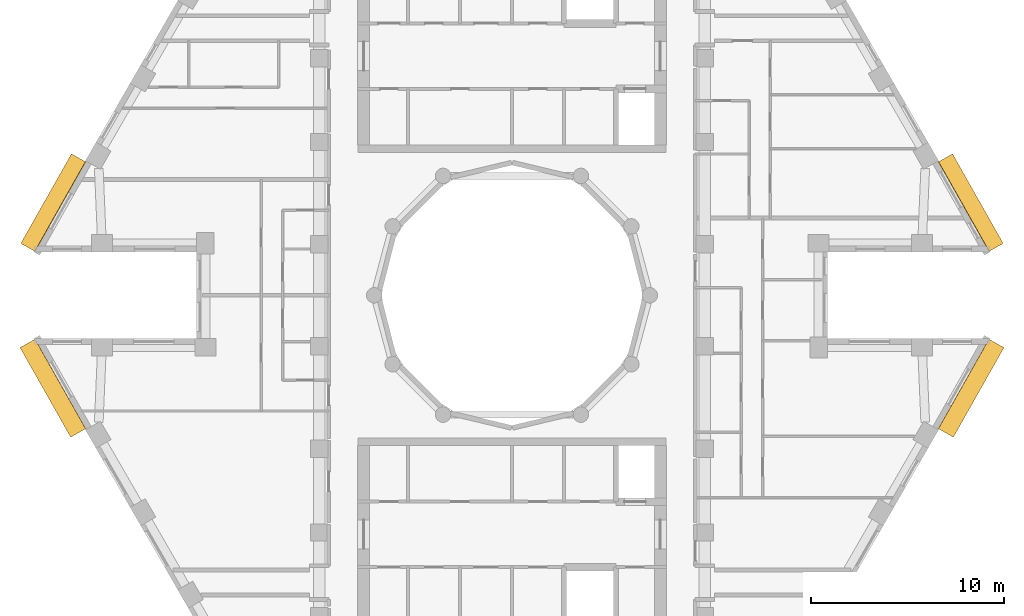
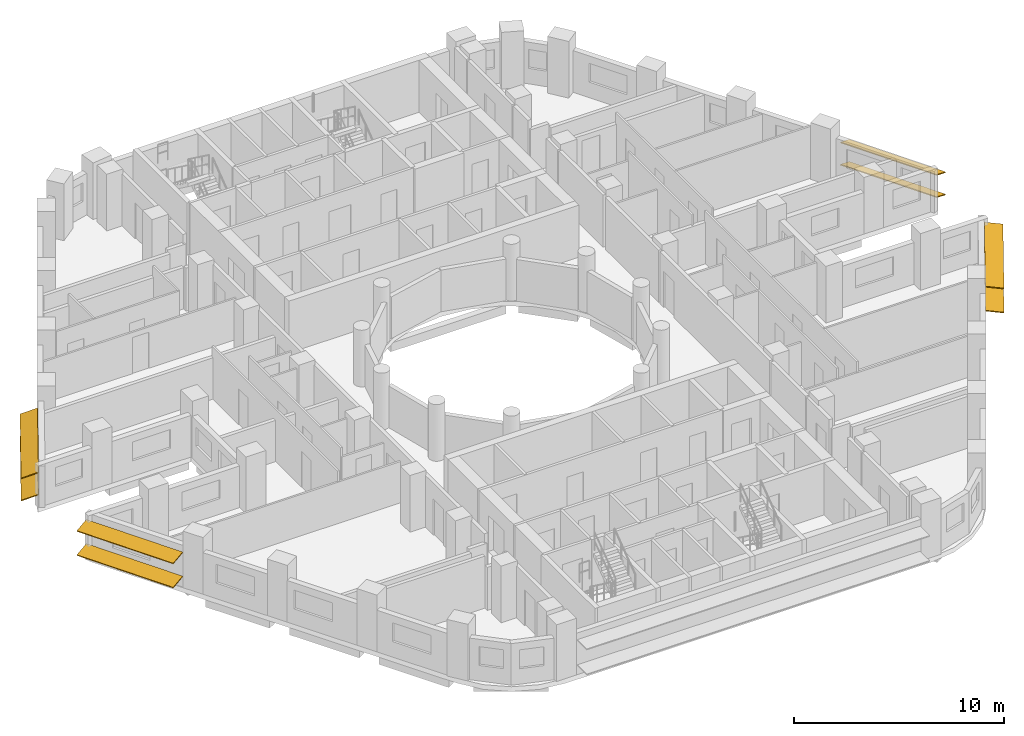
# One storey, part 11 of 12: 8 shading devices.
"""IFC4 building model written with IfcOpenShell, lengths in metres."""

import ifcopenshell
import ifcopenshell.guid

model = None  # the IFC model being written
_history = None  # IfcOwnerHistory: only IFC2X3 demands one
_inside = {}  # id of a spatial element -> (the spatial element, [elements in it])
_under = {}  # id of a project, library or spatial element -> (it, [spatial elements below it])
_declared = {}  # id of a project -> (the project, [libraries it declares])
_typed = {}  # id of a type object -> (the type object, [elements of that type])
_made_of = {}  # id of a material, layer set ... -> (it, [elements and type objects made of it])


def new_model(schema):
    """Start an empty IFC model of exactly this schema.

    Asked for "IFC4X3", IfcOpenShell would pick the latest addendum, in which some entities
    have other attributes; the version numbers below select the first issue.
    IFC2X3 requires an IfcOwnerHistory on every rooted entity: one is made here for all.
    """
    global model, _history
    if schema == "IFC4X3":
        model = ifcopenshell.file(schema_version=(4, 3, 0, 0))
    else:
        model = ifcopenshell.file(schema=schema)
    _inside.clear()
    _under.clear()
    _declared.clear()
    _typed.clear()
    _made_of.clear()
    _history = None
    if model.schema == "IFC2X3":
        org = make("IfcOrganization", Name="unknown")
        user = make(
            "IfcPersonAndOrganization",
            ThePerson=make("IfcPerson", FamilyName="unknown"),
            TheOrganization=org,
        )
        app = make(
            "IfcApplication",
            ApplicationDeveloper=org,
            Version="unknown",
            ApplicationFullName="unknown",
            ApplicationIdentifier="unknown",
        )
        _history = make(
            "IfcOwnerHistory",
            OwningUser=user,
            OwningApplication=app,
            ChangeAction="ADDED",
            CreationDate=0,
        )
    return model


def make(cls, **values):
    """One entity of the class cls with the attributes given. An attribute that is None is left unset."""
    return model.create_entity(
        cls, **{name: value for name, value in values.items() if value is not None}
    )


def rooted(cls, **values):
    """An entity with a GlobalId (a new one), such as an element, a storey or a relation."""
    return make(cls, GlobalId=ifcopenshell.guid.new(), OwnerHistory=_history, **values)


def si_unit(unit_type, name, prefix=None):
    """IfcSIUnit, for example si_unit("LENGTHUNIT", "METRE", prefix="MILLI")."""
    return make("IfcSIUnit", UnitType=unit_type, Prefix=prefix, Name=name)


def assignment(units):
    """IfcUnitAssignment: the units of a project."""
    return None if units is None else make("IfcUnitAssignment", Units=units)


def point(xyz):
    """IfcCartesianPoint."""
    return None if xyz is None else make("IfcCartesianPoint", Coordinates=xyz)


def direction(xyz):
    """IfcDirection."""
    return None if xyz is None else make("IfcDirection", DirectionRatios=xyz)


def frame(location, z_axis=None, x_axis=None):
    """IfcAxis2Placement3D, a coordinate frame: its origin and axes. An axis left out is left unset."""
    return make(
        "IfcAxis2Placement3D",
        Location=point(location),
        Axis=direction(z_axis),
        RefDirection=direction(x_axis),
    )


def frame_2d(location, x_axis=None):
    """IfcAxis2Placement2D, a coordinate frame in the plane: its origin and x axis."""
    return make(
        "IfcAxis2Placement2D", Location=point(location), RefDirection=direction(x_axis)
    )


def origin():
    """The frame at (0, 0, 0) with its axes left unset."""
    return frame((0.0, 0.0, 0.0))


def origin_2d():
    """The frame at (0, 0) in the plane with its x axis left unset."""
    return frame_2d((0.0, 0.0))


def place(relative_to, where):
    """IfcLocalPlacement: puts the frame where relative to a parent placement (None: the world)."""
    return make(
        "IfcLocalPlacement", PlacementRelTo=relative_to, RelativePlacement=where
    )


def context(
    kind, dimensions, precision=None, world=None, true_north=None, identifier=None
):
    """IfcGeometricRepresentationContext, for example the 3D "Model" context."""
    return make(
        "IfcGeometricRepresentationContext",
        ContextIdentifier=identifier,
        ContextType=kind,
        CoordinateSpaceDimension=dimensions,
        Precision=precision,
        WorldCoordinateSystem=world,
        TrueNorth=true_north,
    )


def subcontext(parent, identifier, kind, view, scale=None):
    """IfcGeometricRepresentationSubContext, for example "Body" below "Model"."""
    return make(
        "IfcGeometricRepresentationSubContext",
        ContextIdentifier=identifier,
        ContextType=kind,
        ParentContext=parent,
        TargetScale=scale,
        TargetView=view,
    )


def project(units=None, contexts=None):
    """IfcProject with its units and contexts."""
    return rooted(
        "IfcProject",
        Name="project",
        RepresentationContexts=contexts,
        UnitsInContext=assignment(units),
    )


def spatial(cls, under=None, at=None, **own):
    """A site, building, storey or space (cls), placed at a placement, below another one or the project."""
    s = rooted(cls, ObjectPlacement=at, **own)
    if under is not None:
        _under.setdefault(under.id(), (under, []))[1].append(s)
    return s


def profile(cls, at=None, kind="AREA", **sizes):
    """A parametric profile (cls). Its sizes go by their IFC names, for example OverallWidth=200.0."""
    return make(cls, ProfileType=kind, Position=at, **sizes)


def rectangle(**sizes):
    """IfcRectangleProfileDef."""
    return profile("IfcRectangleProfileDef", **sizes)


def extrude(swept, where, along, depth):
    """IfcExtrudedAreaSolid: the profile swept, set in the frame where, extruded along a direction by depth."""
    return make(
        "IfcExtrudedAreaSolid",
        SweptArea=swept,
        Position=where,
        ExtrudedDirection=direction(along),
        Depth=depth,
    )


def shape(context_of_items, identifier, shape_type, items):
    """IfcShapeRepresentation: the items that make up one representation, for example the "Body"."""
    return make(
        "IfcShapeRepresentation",
        ContextOfItems=context_of_items,
        RepresentationIdentifier=identifier,
        RepresentationType=shape_type,
        Items=items,
    )


def material(Name=None, Category=None):
    """IfcMaterial."""
    return make("IfcMaterial", Name=Name, Category=Category)


def material_profile(
    of_material, cross_section, Name=None, Category=None, Priority=None
):
    """IfcMaterialProfile: a cross section and its material."""
    return make(
        "IfcMaterialProfile",
        Name=Name,
        Material=of_material,
        Profile=cross_section,
        Priority=Priority,
        Category=Category,
    )


def profile_set(profiles, Name=None, composite=None):
    """IfcMaterialProfileSet."""
    return make(
        "IfcMaterialProfileSet",
        Name=Name,
        MaterialProfiles=profiles,
        CompositeProfile=composite,
    )


def made_of(thing, what):
    """Note that an element or type object is made of a material, layer set ...; save() writes the relation."""
    if what is not None:
        _made_of.setdefault(what.id(), (what, []))[1].append(thing)
    return thing


def type_object(cls, material=None, **own):
    """A type object (cls), such as IfcWallType, which elements share."""
    return made_of(rooted(cls, **own), material)


def element(
    cls,
    number,
    at=None,
    inside=None,
    cuts=None,
    type_object=None,
    material=None,
    context=None,
    identifier="Body",
    shape_type=None,
    held_by="IfcProductDefinitionShape",
    body=None,
    shapes=None,
    **own,
):
    """One element of the class cls, such as IfcWall. Its Tag is "e" and its number.

    at: its placement. inside: the storey or other place that contains it. cuts: it is an
    opening in that element (IfcRelVoidsElement). A single representation is given by context,
    identifier, shape_type and body (its items); several are given by shapes. held_by: the class
    of the entity that holds the representations. save() writes the other relations.
    """
    e = rooted(cls, Tag="e%d" % number, ObjectPlacement=at, **own)
    if body is not None:
        shapes = [shape(context, identifier, shape_type, body)]
    if shapes is not None:
        e.Representation = make(held_by, Representations=shapes)
    if inside is not None:
        _inside.setdefault(inside.id(), (inside, []))[1].append(e)
    if cuts is not None:
        rooted(
            "IfcRelVoidsElement", RelatingBuildingElement=cuts, RelatedOpeningElement=e
        )
    if type_object is not None:
        _typed.setdefault(type_object.id(), (type_object, []))[1].append(e)
    return made_of(e, material)


def aggregate(whole, parts):
    """IfcRelAggregates: a whole, such as a stair, and the parts it consists of."""
    return rooted("IfcRelAggregates", RelatingObject=whole, RelatedObjects=parts)


def save(model, path):
    """Write the relations noted so far, then the file.

    IfcRelAggregates (storeys below a building ...), IfcRelContainedInSpatialStructure (elements
    in a storey), IfcRelDefinesByType, IfcRelAssociatesMaterial and IfcRelDeclares: one each for
    every whole, place, type object, material and project.
    """
    for whole, parts in _under.values():
        aggregate(whole, parts)
    for where, things in _inside.values():
        rooted(
            "IfcRelContainedInSpatialStructure",
            RelatedElements=things,
            RelatingStructure=where,
        )
    for kind, things in _typed.values():
        rooted("IfcRelDefinesByType", RelatedObjects=things, RelatingType=kind)
    for what, things in _made_of.values():
        rooted("IfcRelAssociatesMaterial", RelatedObjects=things, RelatingMaterial=what)
    for by, libraries in _declared.values():
        rooted("IfcRelDeclares", RelatingContext=by, RelatedDefinitions=libraries)
    model.write(path)


model = new_model("IFC4")

# Units and contexts
model_context = context("Model", 3, precision=1e-05, world=origin(), true_north=direction((0.0, 1.0)))
body_context = subcontext(model_context, "Body", "Model", "MODEL_VIEW")
ifc_project = project(units=[si_unit("LENGTHUNIT", "METRE"), si_unit("AREAUNIT", "SQUARE_METRE"), si_unit("VOLUMEUNIT", "CUBIC_METRE"), si_unit("PLANEANGLEUNIT", "RADIAN"), si_unit("MASSUNIT", "GRAM", prefix="KILO")], contexts=[model_context])

# Site, building, storey
site_placement = place(None, origin())
site = spatial("IfcSite", under=ifc_project, at=site_placement, CompositionType="ELEMENT")
building_placement = place(site_placement, origin())
building = spatial("IfcBuilding", under=site, at=building_placement, Name="Nakaniwa Court", CompositionType="ELEMENT")
storey_placement = place(building_placement, frame((0.0, 0.0, 249.300048828125)))
storey = spatial("IfcBuildingStorey", under=building, at=storey_placement, Name="L65", CompositionType="ELEMENT", Elevation=249.300048828125)

# Shading devices
ifc_material = material(Name="Perforated charcoal ceramic louvre blade")
ifc_material_profile = material_profile(ifc_material, rectangle(XDim=0.89990234375, YDim=0.050048828125, at=origin_2d()), Name="Perforated ceramic louvre blade")
ifc_profile_set = profile_set([ifc_material_profile], Name="Perforated charcoal ceramic louvre blade")
shading_device_type = type_object("IfcShadingDeviceType", Name="Perforated ceramic louvre blade", PredefinedType="JALOUSIE", material=ifc_profile_set)
for number, where, z_axis, x_axis, name in (
    (1, (105.103759765625, 82.480224609375, 0.550048828125), (-0.492088911474, 0.870544946114, 0.0), (-0.804858877011, -0.454958851288, 0.38107037635), "L65 perforated ceramic louvre blade w02 1"),
    (2, (105.103759765625, 82.480224609375, 1.845458984375), (-0.492088911474, 0.870544946114, 0.0), (-0.804858877011, -0.454958851288, 0.38107037635), "L65 perforated ceramic louvre blade w02 2"),
    (3, (57.5224609375, 87.126220703125, 0.550048828125), (-0.492088911474, -0.870544946114, 0.0), (0.804858877011, -0.454958851288, 0.38107037635), "L65 perforated ceramic louvre blade w14 1"),
    (4, (57.5224609375, 87.126220703125, 1.845458984375), (-0.492088911474, -0.870544946114, 0.0), (0.804858877011, -0.454958851288, 0.38107037635), "L65 perforated ceramic louvre blade w14 2"),
):
    element("IfcShadingDevice", number, at=place(storey_placement, frame(where, z_axis=z_axis, x_axis=x_axis)), inside=storey, type_object=shading_device_type, Name=name, PredefinedType="JALOUSIE", context=body_context, shape_type="SweptSolid", body=[
        extrude(rectangle(XDim=0.89990234375, YDim=0.050048828125, at=origin_2d()), origin(), (0.0, 0.0, 1.0), 5.3369140625),
    ])
for number, where, z_axis, x_axis, name in (
    (5, (54.87548828125, 77.508056640625, 0.550048828125), (0.492108509021, -0.870533868008, 0.0), (0.862886698285, 0.487785601632, 0.132256390257), "L65 perforated ceramic louvre blade w20 1"),
    (6, (54.87548828125, 77.508056640625, 1.95556640625), (0.492108509021, -0.870533868008, 0.0), (0.862886698285, 0.487785601632, 0.132256390257), "L65 perforated ceramic louvre blade w20 2"),
    (7, (102.498291015625, 72.8623046875, 0.550048828125), (0.492108509021, 0.870533868008, 0.0), (-0.862886698285, 0.487785601632, 0.132256390257), "L65 perforated ceramic louvre blade w32 1"),
    (8, (102.498291015625, 72.8623046875, 1.95556640625), (0.492108509021, 0.870533868008, 0.0), (-0.862886698285, 0.487785601632, 0.132256390257), "L65 perforated ceramic louvre blade w32 2"),
):
    element("IfcShadingDevice", number, at=place(storey_placement, frame(where, z_axis=z_axis, x_axis=x_axis)), inside=storey, type_object=shading_device_type, Name=name, PredefinedType="JALOUSIE", context=body_context, shape_type="SweptSolid", body=[
        extrude(rectangle(XDim=0.89990234375, YDim=0.050048828125, at=origin_2d()), origin(), (0.0, 0.0, 1.0), 5.336669921875),
    ])

save(model, "model.ifc")
